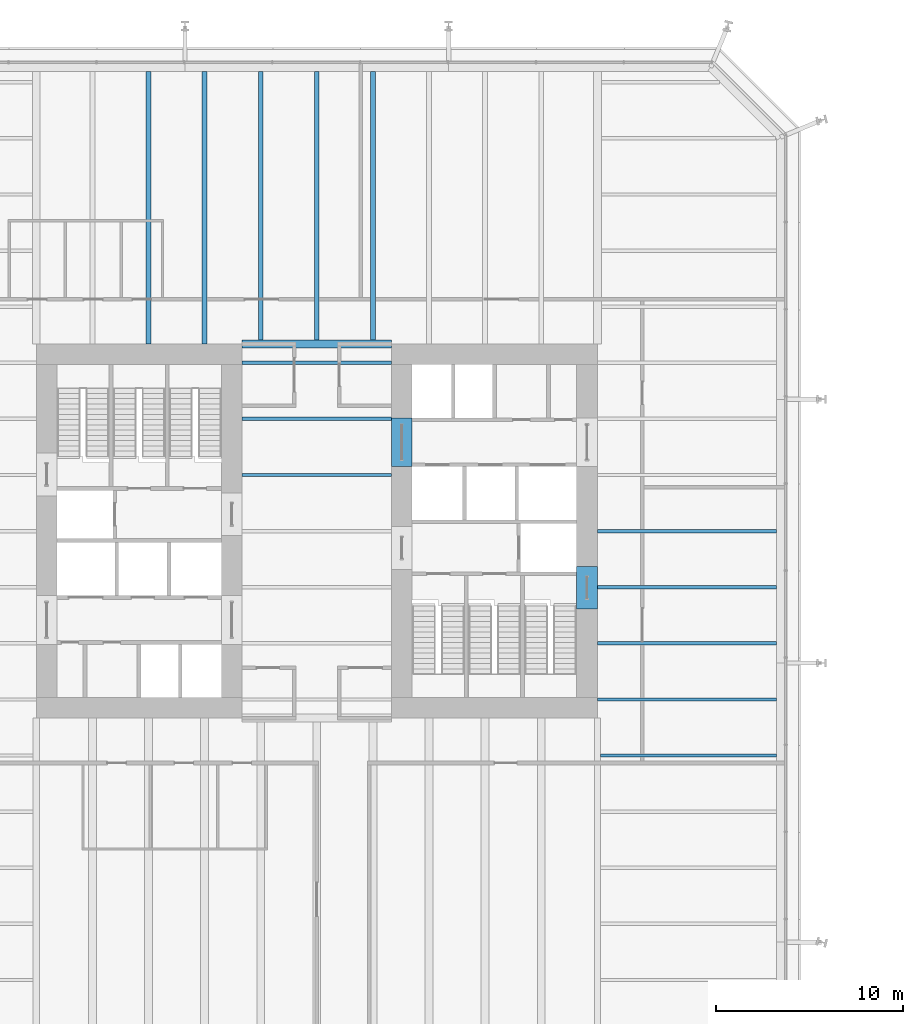
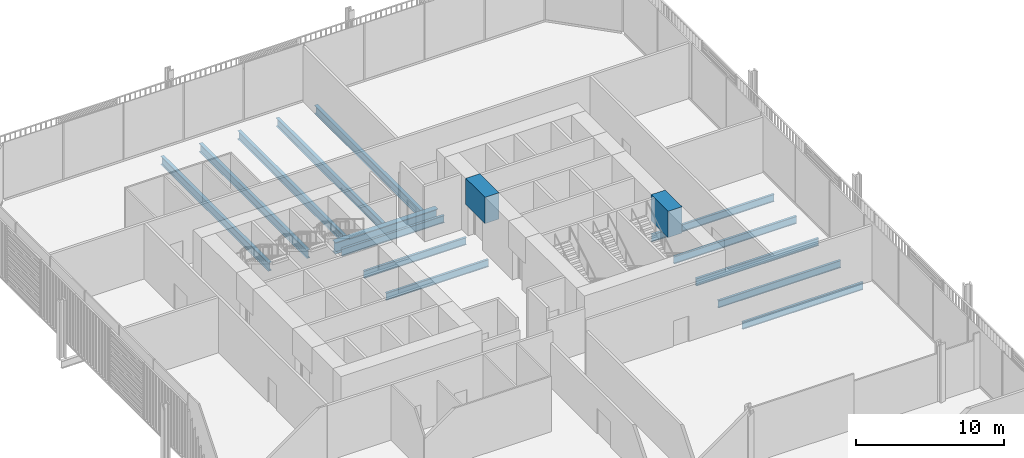
# One storey, part 10 of 25: 16 beams.
"""IFC4 building model written with IfcOpenShell, lengths in metres."""

from ifc_helpers import new_model, si_unit, direction, frame, origin, origin_2d, place, context, subcontext, project, spatial, rectangle, i_section, extrude, material, material_profile, profile_set, type_object, element, save


model = new_model("IFC4")

# Units and contexts
model_context = context("Model", 3, precision=1e-05, world=origin(), true_north=direction((0.0, 1.0)))
body_context = subcontext(model_context, "Body", "Model", "MODEL_VIEW")
ifc_project = project(units=[si_unit("LENGTHUNIT", "METRE"), si_unit("AREAUNIT", "SQUARE_METRE"), si_unit("VOLUMEUNIT", "CUBIC_METRE"), si_unit("PLANEANGLEUNIT", "RADIAN"), si_unit("MASSUNIT", "GRAM", prefix="KILO")], contexts=[model_context])

# Site, building, storey
site_placement = place(None, origin())
site = spatial("IfcSite", under=ifc_project, at=site_placement, CompositionType="ELEMENT")
building_placement = place(site_placement, origin())
building = spatial("IfcBuilding", under=site, at=building_placement, Name="Millrace Tower", CompositionType="ELEMENT")
storey_placement = place(building_placement, frame((0.0, 0.0, 6.5)))
storey = spatial("IfcBuildingStorey", under=building, at=storey_placement, Name="L02", CompositionType="ELEMENT", Elevation=6.5)

# Beams
ifc_material_1 = material(Name="Concrete C80", Category="concrete")
ifc_material_profile_1 = material_profile(ifc_material_1, rectangle(XDim=1.10009765625, YDim=2.175048828125, at=origin_2d()))
ifc_profile_set_1 = profile_set([ifc_material_profile_1], Name="Concrete C80")
beam_type_1 = type_object("IfcBeamType", Name="Coupling beam 1100 x 2175 Concrete C80, 1300 opening", PredefinedType="BEAM", material=ifc_profile_set_1)
beam_1_placement = place(storey_placement, frame((14.449951171875, -1.88818359375, 3.487548828125), z_axis=(0.0, -1.0, 0.0), x_axis=(1.0, 0.0, 0.0)))
element("IfcBeam", 1, at=beam_1_placement, inside=storey, type_object=beam_type_1, Name="Coupling beam E L02", PredefinedType="BEAM", context=body_context, shape_type="SweptSolid", body=[
    extrude(rectangle(XDim=1.10009765625, YDim=2.175048828125, at=origin_2d()), origin(), (0.0, 0.0, 1.0), 2.28369140625),
])
ifc_material_2 = material(Name="Concrete C80", Category="concrete")
ifc_material_profile_2 = material_profile(ifc_material_2, rectangle(XDim=1.10009765625, YDim=2.175048828125, at=origin_2d()))
ifc_profile_set_2 = profile_set([ifc_material_profile_2], Name="Concrete C80")
beam_type_2 = type_object("IfcBeamType", Name="Coupling beam 1100 x 2175 Concrete C80, 2000 opening", PredefinedType="BEAM", material=ifc_profile_set_2)
beam_2_placement = place(storey_placement, frame((4.550048828125, 6.050048828125, 3.487548828125), z_axis=(0.0, -1.0, 0.0), x_axis=(1.0, 0.0, 0.0)))
element("IfcBeam", 2, at=beam_2_placement, inside=storey, type_object=beam_type_2, Name="Coupling beam E L02", PredefinedType="BEAM", context=body_context, shape_type="SweptSolid", body=[
    extrude(rectangle(XDim=1.10009765625, YDim=2.175048828125, at=origin_2d()), origin(), (0.0, 0.0, 1.0), 2.60009765625),
])
ifc_material_3 = material(Name="Steel ASTM A992 Grade 50", Category="steel")
ifc_material_profile_3 = material_profile(ifc_material_3, i_section(OverallWidth=0.177978515625, OverallDepth=0.599365234375, WebThickness=0.010009765625, FlangeThickness=0.012939453125, FilletRadius=0.012939453125, at=origin_2d()))
ifc_profile_set_3 = profile_set([ifc_material_profile_3], Name="Steel ASTM A992 Grade 50")
beam_type_3 = type_object("IfcBeamType", Name="Floor beam W24x55", PredefinedType="JOIST", material=ifc_profile_set_3)
for number, where, z_axis, x_axis, name in (
    (3, (-4.0, 3.0, -0.524658203125), (1.0, 0.0, 0.0), (0.0, 1.0, 0.0), "BM-A-L02-S1-S033"),
    (4, (-4.0, 6.0, -0.524658203125), (1.0, 0.0, 0.0), (0.0, 1.0, 0.0), "BM-A-L02-S1-S036"),
    (5, (-4.0, 9.0, -0.524658203125), (1.0, 0.0, 0.0), (0.0, 1.0, 0.0), "BM-A-L02-S1-S039"),
):
    element("IfcBeam", number, at=place(storey_placement, frame(where, z_axis=z_axis, x_axis=x_axis)), inside=storey, type_object=beam_type_3, Name=name, PredefinedType="JOIST", context=body_context, shape_type="SweptSolid", body=[
        extrude(i_section(OverallWidth=0.177978515625, OverallDepth=0.599365234375, WebThickness=0.010009765625, FlangeThickness=0.012939453125, FilletRadius=0.012939453125, at=origin_2d()), origin(), (0.0, 0.0, 1.0), 8.0),
    ])
ifc_material_4 = material(Name="Steel ASTM A992 Grade 50", Category="steel")
ifc_material_profile_4 = material_profile(ifc_material_4, i_section(OverallWidth=0.1787109375, OverallDepth=0.60205078125, WebThickness=0.010986328125, FlangeThickness=0.014892578125, FilletRadius=0.0126953125, at=origin_2d()))
ifc_profile_set_4 = profile_set([ifc_material_profile_4], Name="Steel ASTM A992 Grade 50")
beam_type_4 = type_object("IfcBeamType", Name="Floor beam W24x62", PredefinedType="JOIST", material=ifc_profile_set_4)
beam_3_placement = place(storey_placement, frame((15.1640625, -12.0, -0.52587890625), z_axis=(1.0, 0.0, 0.0), x_axis=(0.0, 1.0, 0.0)))
element("IfcBeam", 6, at=beam_3_placement, inside=storey, type_object=beam_type_4, Name="BM-A-L02-S1-S020", PredefinedType="JOIST", context=body_context, shape_type="SweptSolid", body=[
    extrude(i_section(OverallWidth=0.1787109375, OverallDepth=0.60205078125, WebThickness=0.010986328125, FlangeThickness=0.014892578125, FilletRadius=0.0126953125, at=origin_2d()), origin(), (0.0, 0.0, 1.0), 9.414306640625),
])
for number, where, z_axis, x_axis, name in (
    (7, (15.0, -9.0, -0.52587890625), (1.0, 0.0, 0.0), (0.0, 1.0, 0.0), "BM-A-L02-S1-S023"),
    (8, (15.0, -6.0, -0.52587890625), (1.0, 0.0, 0.0), (0.0, 1.0, 0.0), "BM-A-L02-S1-S026"),
    (9, (15.0, -3.0, -0.52587890625), (1.0, 0.0, 0.0), (0.0, 1.0, 0.0), "BM-A-L02-S1-S029"),
    (10, (15.0, 0.0, -0.52587890625), (1.0, 0.0, 0.0), (0.0, 1.0, 0.0), "BM-A-L02-S1-S032"),
):
    element("IfcBeam", number, at=place(storey_placement, frame(where, z_axis=z_axis, x_axis=x_axis)), inside=storey, type_object=beam_type_4, Name=name, PredefinedType="JOIST", context=body_context, shape_type="SweptSolid", body=[
        extrude(i_section(OverallWidth=0.1787109375, OverallDepth=0.60205078125, WebThickness=0.010986328125, FlangeThickness=0.014892578125, FilletRadius=0.0126953125, at=origin_2d()), origin(), (0.0, 0.0, 1.0), 9.578369140625),
    ])
ifc_material_5 = material(Name="Steel ASTM A992 Grade 50", Category="steel")
ifc_material_profile_5 = material_profile(ifc_material_5, i_section(OverallWidth=0.256591796875, OverallDepth=0.693359375, WebThickness=0.014404296875, FlangeThickness=0.023681640625, FilletRadius=0.01513671875, at=origin_2d()))
ifc_profile_set_5 = profile_set([ifc_material_profile_5], Name="Steel ASTM A992 Grade 50")
beam_type_5 = type_object("IfcBeamType", Name="Floor beam W27x114", PredefinedType="JOIST", material=ifc_profile_set_5)
for number, where, z_axis, x_axis, name in (
    (11, (-9.0, 10.0, -0.57177734375), (0.0, 1.0, 0.0), (-1.0, 0.0, 0.0), "BM-A-L02-S1-S055"),
    (12, (-6.0, 10.0, -0.57177734375), (0.0, 1.0, 0.0), (-1.0, 0.0, 0.0), "BM-A-L02-S1-S058"),
):
    element("IfcBeam", number, at=place(storey_placement, frame(where, z_axis=z_axis, x_axis=x_axis)), inside=storey, type_object=beam_type_5, Name=name, PredefinedType="JOIST", context=body_context, shape_type="SweptSolid", body=[
        extrude(i_section(OverallWidth=0.256591796875, OverallDepth=0.693359375, WebThickness=0.014404296875, FlangeThickness=0.023681640625, FilletRadius=0.01513671875, at=origin_2d()), origin(), (0.0, 0.0, 1.0), 14.578369140625),
    ])
for number, where, z_axis, x_axis, name in (
    (13, (-3.0, 10.212158203125, -0.57177734375), (0.0, 1.0, 0.0), (-1.0, 0.0, 0.0), "BM-A-L02-S1-S061"),
    (14, (0.0, 10.212158203125, -0.57177734375), (0.0, 1.0, 0.0), (-1.0, 0.0, 0.0), "BM-A-L02-S1-S064"),
    (15, (3.0, 10.212158203125, -0.57177734375), (0.0, 1.0, 0.0), (-1.0, 0.0, 0.0), "BM-A-L02-S1-S067"),
):
    element("IfcBeam", number, at=place(storey_placement, frame(where, z_axis=z_axis, x_axis=x_axis)), inside=storey, type_object=beam_type_5, Name=name, PredefinedType="JOIST", context=body_context, shape_type="SweptSolid", body=[
        extrude(i_section(OverallWidth=0.256591796875, OverallDepth=0.693359375, WebThickness=0.014404296875, FlangeThickness=0.023681640625, FilletRadius=0.01513671875, at=origin_2d()), origin(), (0.0, 0.0, 1.0), 14.3662109375),
    ])
ifc_material_6 = material(Name="Steel ASTM A992 Grade 50", Category="steel")
ifc_material_profile_6 = material_profile(ifc_material_6, i_section(OverallWidth=0.424072265625, OverallDepth=0.947509765625, WebThickness=0.02392578125, FlangeThickness=0.042724609375, FilletRadius=0.024169921875, at=origin_2d()))
ifc_profile_set_6 = profile_set([ifc_material_profile_6], Name="Steel ASTM A992 Grade 50")
beam_type_6 = type_object("IfcBeamType", Name="Girder short span W36x302", PredefinedType="BEAM", material=ifc_profile_set_6)
beam_4_placement = place(storey_placement, frame((-4.0, 10.0, -0.69873046875), z_axis=(1.0, 0.0, 0.0), x_axis=(0.0, 1.0, 0.0)))
element("IfcBeam", 16, at=beam_4_placement, inside=storey, type_object=beam_type_6, Name="BM-A-L02-S1-G085", PredefinedType="BEAM", context=body_context, shape_type="SweptSolid", body=[
    extrude(i_section(OverallWidth=0.424072265625, OverallDepth=0.947509765625, WebThickness=0.02392578125, FlangeThickness=0.042724609375, FilletRadius=0.024169921875, at=origin_2d()), origin(), (0.0, 0.0, 1.0), 8.0),
])

save(model, "model.ifc")
